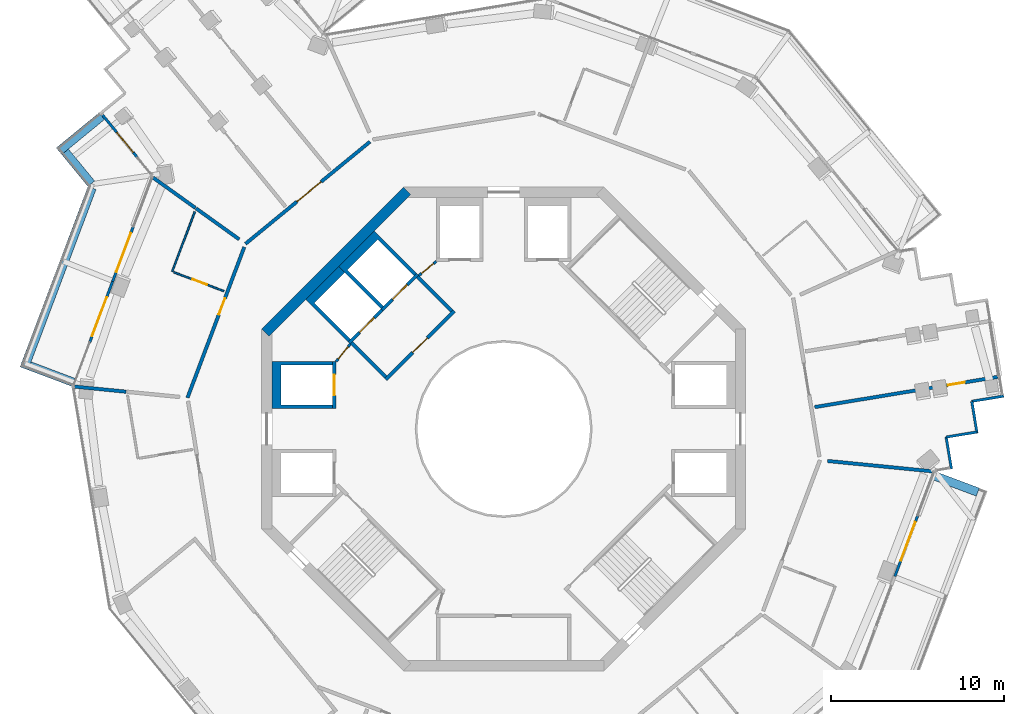
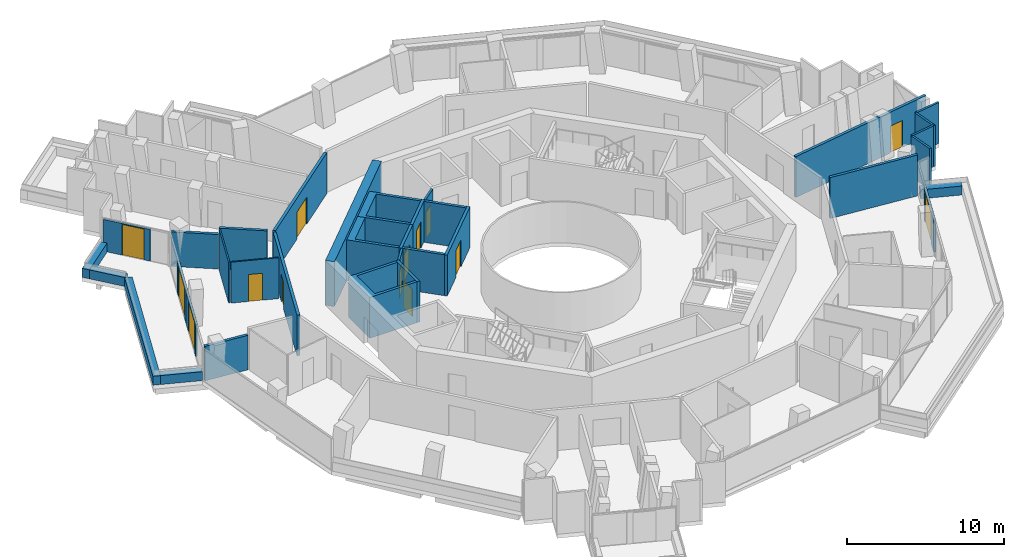
# One storey, part 16 of 21: 34 walls, 14 doors, 14 openings.
"""IFC4 building model written with IfcOpenShell, lengths in metres."""

from ifc_helpers import new_model, si_unit, direction, frame, frame_2d, origin, place, context, subcontext, project, spatial, polyline, rectangle, outline, extrude, material, layer, layer_set, type_object, element, fill, save


model = new_model("IFC4")

# Units and contexts
model_context = context("Model", 3, precision=1e-05, world=origin(), true_north=direction((0.0, 1.0)))
body_context = subcontext(model_context, "Body", "Model", "MODEL_VIEW")
ifc_project = project(units=[si_unit("LENGTHUNIT", "METRE"), si_unit("AREAUNIT", "SQUARE_METRE"), si_unit("VOLUMEUNIT", "CUBIC_METRE"), si_unit("PLANEANGLEUNIT", "RADIAN"), si_unit("MASSUNIT", "GRAM", prefix="KILO")], contexts=[model_context])

# Site, building, storey
site_placement = place(None, origin())
site = spatial("IfcSite", under=ifc_project, at=site_placement, CompositionType="ELEMENT")
building_placement = place(site_placement, origin())
building = spatial("IfcBuilding", under=site, at=building_placement, Name="Verdalira Terraces Hotel", CompositionType="ELEMENT")
storey_placement = place(building_placement, frame((0.0, 0.0, 194.0)))
storey = spatial("IfcBuildingStorey", under=building, at=storey_placement, Name="L47", CompositionType="ELEMENT", Elevation=194.0)

# Walls
ifc_material_1 = material(Name="Concrete C40", Category="concrete")
ifc_layer_1 = layer(ifc_material_1, 0.5)
ifc_layer_set_1 = layer_set([ifc_layer_1], Name="Balcony planter trough with tree")
wall_type_1 = type_object("IfcWallType", Name="Balcony planter trough with tree", PredefinedType="SOLIDWALL", material=ifc_layer_set_1)
wall_1_placement = place(storey_placement, frame((-23.255615, 18.101562, 0.0), z_axis=(0.0, 0.0, 1.0), x_axis=(-0.773171239, -0.634197315, 0.0)))
element("IfcWall", 1, at=wall_1_placement, inside=storey, type_object=wall_type_1, Name="Balcony planter", PredefinedType="SOLIDWALL", context=body_context, shape_type="SweptSolid", body=[
    extrude(rectangle(XDim=3.198975, YDim=0.5, at=frame_2d((1.599609, 0.0))), origin(), (0.0, 0.0, 1.0), 0.699951),
])
wall_2_placement = place(storey_placement, frame((-25.377197, 16.037842, 0.0), z_axis=(0.0, 0.0, 1.0), x_axis=(0.634222613, -0.773150488, 0.0)))
element("IfcWall", 2, at=wall_2_placement, inside=storey, type_object=wall_type_1, Name="Balcony planter", PredefinedType="SOLIDWALL", context=body_context, shape_type="SweptSolid", body=[
    extrude(rectangle(XDim=2.388184, YDim=0.5, at=frame_2d((1.194092, 0.0))), origin(), (0.0, 0.0, 1.0), 0.699951),
])
wall_3_placement = place(storey_placement, frame((-23.822021, 13.94458, 0.0), z_axis=(0.0, 0.0, 1.0), x_axis=(-0.352495325, -0.935813574, 0.0)))
element("IfcWall", 3, at=wall_3_placement, inside=storey, type_object=wall_type_1, Name="Balcony planter", PredefinedType="SOLIDWALL", context=body_context, shape_type="SweptSolid", body=[
    extrude(rectangle(XDim=11.152344, YDim=0.5, at=frame_2d((5.576172, 0.0))), origin(), (0.0, 0.0, 1.0), 0.699951),
])
for number, where, z_axis, x_axis, name in (
    (4, (-27.431152, 3.653809, 0.0), (0.0, 0.0, 1.0), (0.935815205, -0.352490997, 0.0), "Balcony planter"),
    (5, (27.431152, -3.653809, 0.0), (0.0, 0.0, 1.0), (-0.935815205, 0.352490997, 0.0), "Balcony planter"),
):
    element("IfcWall", number, at=place(storey_placement, frame(where, z_axis=z_axis, x_axis=x_axis)), inside=storey, type_object=wall_type_1, Name=name, PredefinedType="SOLIDWALL", context=body_context, shape_type="SweptSolid", body=[
        extrude(rectangle(XDim=2.699219, YDim=0.5, at=frame_2d((1.349609, 0.0))), origin(), (0.0, 0.0, 1.0), 0.699951),
    ])
ifc_material_2 = material(Name="Moisture-resistant gypsum board partition")
ifc_layer_2 = layer(ifc_material_2, 0.10009765625)
ifc_layer_set_2 = layer_set([ifc_layer_2], Name="Bathroom partition 100 mm")
wall_type_2 = type_object("IfcWallType", Name="Bathroom partition 100 mm", PredefinedType="PARTITIONING", material=ifc_layer_set_2)
wall_4_placement = place(storey_placement, frame((-19.18042, 9.10376, 0.0), z_axis=(0.0, 0.0, 1.0), x_axis=(0.352517215, 0.935805329, 0.0)))
element("IfcWall", 6, at=wall_4_placement, inside=storey, type_object=wall_type_2, Name="Bathroom partition", PredefinedType="PARTITIONING", context=body_context, shape_type="SweptSolid", body=[
    extrude(rectangle(XDim=3.703857, YDim=0.100098, at=frame_2d((1.852051, 0.0))), origin(), (0.0, 0.0, 1.0), 3.189941),
])

# Wall, opening, door
wall_5_placement = place(storey_placement, frame((-19.086914, 9.068359, 0.0), z_axis=(0.0, 0.0, 1.0), x_axis=(0.935813585, -0.352495296, 0.0)))
wall_5 = element("IfcWall", 7, at=wall_5_placement, inside=storey, type_object=wall_type_2, Name="Bathroom partition", PredefinedType="PARTITIONING", context=body_context, shape_type="SweptSolid", body=[
    extrude(rectangle(XDim=3.100098, YDim=0.100098, at=frame_2d((1.550049, 0.0))), origin(), (0.0, 0.0, 1.0), 3.189941),
])
opening_1_placement = place(wall_5_placement, frame((1.149902, 0.0, 0.0)))
opening_1 = element("IfcOpeningElement", 8, at=opening_1_placement, cuts=wall_5, Name="Opening L47-105", PredefinedType="OPENING", context=body_context, shape_type="SweptSolid", body=[
    extrude(rectangle(XDim=0.899902, YDim=2.100098, at=frame_2d((0.449951, 1.050049))), frame((0.0, 0.060059, 0.0), z_axis=(0.0, -1.0, 0.0), x_axis=(1.0, 0.0, 0.0)), (0.0, 0.0, 1.0), 0.120117),
])
ifc_material_3 = material(Name="Timber door", Category="wood")
door_type_1 = type_object("IfcDoorType", Name="Bathroom door 900 x 2100", OperationType="NOTDEFINED", PredefinedType="DOOR", material=ifc_material_3)
door_1_placement = place(opening_1_placement, origin())
door_1 = element("IfcDoor", 9, at=door_1_placement, inside=storey, type_object=door_type_1, Name="Bathroom door 4702", OperationType="SINGLE_SWING_LEFT", OverallHeight=2.10009765625, OverallWidth=0.89990234375, PredefinedType="DOOR", context=body_context, shape_type="SweptSolid", body=[
    extrude(rectangle(XDim=0.899902, YDim=2.100098, at=frame_2d((0.449951, 1.050049))), frame((0.0, 0.024902, 0.0), z_axis=(0.0, -1.0, 0.0), x_axis=(1.0, 0.0, 0.0)), (0.0, 0.0, 1.0), 0.050049),
])
fill(opening_1, door_1)

# Wall
ifc_material_4 = material(Name="Concrete C50", Category="concrete")
ifc_layer_3 = layer(ifc_material_4, 0.199951171875)
ifc_layer_set_3 = layer_set([ifc_layer_3], Name="Core RC wall 200 C50")
wall_type_3 = type_object("IfcWallType", Name="Core RC wall 200 C50", PredefinedType="SOLIDWALL", material=ifc_layer_set_3)
wall_6_placement = place(storey_placement, origin())
element("IfcWall", 10, at=wall_6_placement, inside=storey, type_object=wall_type_3, Name="L47 shaft wall W1", PredefinedType="SOLIDWALL", context=body_context, shape_type="SweptSolid", body=[
    extrude(outline(polyline([(-13.399902, 3.899902), (-9.899902, 3.899902), (-9.899902, 3.699951), (-12.899902, 3.699951), (-12.899902, 1.399902), (-9.899902, 1.399902), (-9.899902, 1.199951), (-13.399902, 1.199951), (-13.399902, 3.899902)])), origin(), (0.0, 0.0, 1.0), 3.189941),
])

# Wall, opening, door
wall_7_placement = place(storey_placement, frame((-9.800049, 1.199951, 0.0), z_axis=(0.0, 0.0, 1.0), x_axis=(0.0, 1.0, 0.0)))
wall_7 = element("IfcWall", 11, at=wall_7_placement, inside=storey, type_object=wall_type_3, Name="L47 shaft front wall W1", PredefinedType="SOLIDWALL", context=body_context, shape_type="SweptSolid", body=[
    extrude(rectangle(XDim=2.699951, YDim=0.199951, at=frame_2d((1.350098, 0.0))), origin(), (0.0, 0.0, 1.0), 3.189941),
])
opening_2_placement = place(wall_7_placement, frame((0.75, 0.0, 0.0)))
opening_2 = element("IfcOpeningElement", 12, at=opening_2_placement, cuts=wall_7, Name="Opening LD-L47-806", PredefinedType="OPENING", context=body_context, shape_type="SweptSolid", body=[
    extrude(rectangle(XDim=1.199951, YDim=2.100098, at=frame_2d((0.600098, 1.050049))), frame((0.0, 0.109863, 0.0), z_axis=(0.0, -1.0, 0.0), x_axis=(1.0, 0.0, 0.0)), (0.0, 0.0, 1.0), 0.219971),
])
ifc_material_5 = material(Name="Stainless steel", Category="steel")
door_type_2 = type_object("IfcDoorType", Name="Landing door 1200 x 2100", OperationType="NOTDEFINED", PredefinedType="DOOR", material=ifc_material_5)
door_2_placement = place(opening_2_placement, origin())
door_2 = element("IfcDoor", 13, at=door_2_placement, inside=storey, type_object=door_type_2, Name="Lift landing door HR5 L47", OperationType="DOUBLE_DOOR_SLIDING", OverallHeight=2.10009765625, OverallWidth=1.199951171875, PredefinedType="DOOR", context=body_context, shape_type="SweptSolid", body=[
    extrude(rectangle(XDim=1.199951, YDim=2.100098, at=frame_2d((0.600098, 1.050049))), frame((0.0, 0.024902, 0.0), z_axis=(0.0, -1.0, 0.0), x_axis=(1.0, 0.0, 0.0)), (0.0, 0.0, 1.0), 0.050049),
])
fill(opening_2, door_2)

# Wall
wall_8_placement = place(storey_placement, origin())
element("IfcWall", 14, at=wall_8_placement, inside=storey, type_object=wall_type_3, Name="L47 shaft wall F1", PredefinedType="SOLIDWALL", context=body_context, shape_type="SweptSolid", body=[
    extrude(outline(polyline([(-9.545898, 9.404541), (-7.495361, 11.455078), (-5.055908, 9.015625), (-5.197266, 8.874268), (-7.283203, 10.960205), (-9.051025, 9.192383), (-6.965088, 7.106445), (-7.106445, 6.965088), (-9.545898, 9.404541)])), origin(), (0.0, 0.0, 1.0), 3.189941),
])

# Wall, opening, door
wall_9_placement = place(storey_placement, frame((-4.985107, 8.944824, 0.0), z_axis=(0.0, 0.0, 1.0), x_axis=(-0.707106781, -0.707106781, 0.0)))
wall_9 = element("IfcWall", 15, at=wall_9_placement, inside=storey, type_object=wall_type_3, Name="L47 shaft front wall F1", PredefinedType="SOLIDWALL", context=body_context, shape_type="SweptSolid", body=[
    extrude(rectangle(XDim=2.899902, YDim=0.199951, at=frame_2d((1.449951, 0.0))), origin(), (0.0, 0.0, 1.0), 3.189941),
])
opening_3_placement = place(wall_9_placement, frame((0.850098, 0.0, 0.0)))
opening_3 = element("IfcOpeningElement", 16, at=opening_3_placement, cuts=wall_9, Name="Opening LD-L47-808", PredefinedType="OPENING", context=body_context, shape_type="SweptSolid", body=[
    extrude(rectangle(XDim=1.199951, YDim=2.100098, at=frame_2d((0.600098, 1.050049))), frame((0.0, 0.109863, 0.0), z_axis=(0.0, -1.0, 0.0), x_axis=(1.0, 0.0, 0.0)), (0.0, 0.0, 1.0), 0.219971),
])
door_3_placement = place(opening_3_placement, origin())
door_3 = element("IfcDoor", 17, at=door_3_placement, inside=storey, type_object=door_type_2, Name="Lift landing door LF11 L47", OperationType="DOUBLE_DOOR_SLIDING", OverallHeight=2.10009765625, OverallWidth=1.199951171875, PredefinedType="DOOR", context=body_context, shape_type="SweptSolid", body=[
    extrude(rectangle(XDim=1.199951, YDim=2.100098, at=frame_2d((0.600098, 1.050049))), frame((0.0, 0.024902, 0.0), z_axis=(0.0, -1.0, 0.0), x_axis=(1.0, 0.0, 0.0)), (0.0, 0.0, 1.0), 0.050049),
])
fill(opening_3, door_3)

# Wall
wall_10_placement = place(storey_placement, origin())
element("IfcWall", 18, at=wall_10_placement, inside=storey, type_object=wall_type_3, Name="L47 shaft wall F2", PredefinedType="SOLIDWALL", context=body_context, shape_type="SweptSolid", body=[
    extrude(outline(polyline([(-11.455078, 7.495361), (-9.545898, 9.404541), (-9.192383, 9.051025), (-10.960205, 7.283203), (-8.874268, 5.197266), (-9.015625, 5.055908), (-11.455078, 7.495361)])), origin(), (0.0, 0.0, 1.0), 3.189941),
])

# Wall, opening, door
wall_11_placement = place(storey_placement, frame((-7.035645, 6.894287, 0.0), z_axis=(0.0, 0.0, 1.0), x_axis=(-0.707106781, -0.707106781, 0.0)))
wall_11 = element("IfcWall", 19, at=wall_11_placement, inside=storey, type_object=wall_type_3, Name="L47 shaft front wall F2", PredefinedType="SOLIDWALL", context=body_context, shape_type="SweptSolid", body=[
    extrude(rectangle(XDim=2.699951, YDim=0.199951, at=frame_2d((1.350098, 0.0))), origin(), (0.0, 0.0, 1.0), 3.189941),
])
opening_4_placement = place(wall_11_placement, frame((0.649902, 0.0, 0.0)))
opening_4 = element("IfcOpeningElement", 20, at=opening_4_placement, cuts=wall_11, Name="Opening LD-L47-809", PredefinedType="OPENING", context=body_context, shape_type="SweptSolid", body=[
    extrude(rectangle(XDim=1.199951, YDim=2.100098, at=frame_2d((0.600098, 1.050049))), frame((0.0, 0.109863, 0.0), z_axis=(0.0, -1.0, 0.0), x_axis=(1.0, 0.0, 0.0)), (0.0, 0.0, 1.0), 0.219971),
])
door_4_placement = place(opening_4_placement, origin())
door_4 = element("IfcDoor", 21, at=door_4_placement, inside=storey, type_object=door_type_2, Name="Lift landing door LF12 L47", OperationType="DOUBLE_DOOR_SLIDING", OverallHeight=2.10009765625, OverallWidth=1.199951171875, PredefinedType="DOOR", context=body_context, shape_type="SweptSolid", body=[
    extrude(rectangle(XDim=1.199951, YDim=2.100098, at=frame_2d((0.600098, 1.050049))), frame((0.0, 0.024902, 0.0), z_axis=(0.0, -1.0, 0.0), x_axis=(1.0, 0.0, 0.0)), (0.0, 0.0, 1.0), 0.050049),
])
fill(opening_4, door_4)

wall_12_placement = place(storey_placement, frame((-2.86377, 6.823486, 0.0), z_axis=(0.0, 0.0, 1.0), x_axis=(-0.707106781, -0.707106781, 0.0)))
wall_12 = element("IfcWall", 22, at=wall_12_placement, inside=storey, type_object=wall_type_3, Name="L47 fire lobby wall", PredefinedType="SOLIDWALL", context=body_context, shape_type="SweptSolid", body=[
    extrude(rectangle(XDim=5.599854, YDim=0.199951, at=frame_2d((2.799805, 0.0))), origin(), (0.0, 0.0, 1.0), 3.189941),
])
opening_5_placement = place(wall_12_placement, frame((2.199951, 0.0, 0.0)))
opening_5 = element("IfcOpeningElement", 23, at=opening_5_placement, cuts=wall_12, Name="Opening L47-819", PredefinedType="OPENING", context=body_context, shape_type="SweptSolid", body=[
    extrude(rectangle(XDim=1.199951, YDim=2.100098, at=frame_2d((0.600098, 1.050049))), frame((0.0, 0.109863, 0.0), z_axis=(0.0, -1.0, 0.0), x_axis=(1.0, 0.0, 0.0)), (0.0, 0.0, 1.0), 0.219971),
])
ifc_material_6 = material(Name="Steel fire door", Category="steel")
door_type_3 = type_object("IfcDoorType", Name="Lobby door 1200 x 2100", OperationType="NOTDEFINED", PredefinedType="DOOR", material=ifc_material_6)
door_5_placement = place(opening_5_placement, origin())
door_5 = element("IfcDoor", 24, at=door_5_placement, inside=storey, type_object=door_type_3, Name="Fire lobby door L47", OperationType="SINGLE_SWING_LEFT", OverallHeight=2.10009765625, OverallWidth=1.199951171875, PredefinedType="DOOR", context=body_context, shape_type="SweptSolid", body=[
    extrude(rectangle(XDim=1.199951, YDim=2.100098, at=frame_2d((0.600098, 1.050049))), frame((0.0, 0.024902, 0.0), z_axis=(0.0, -1.0, 0.0), x_axis=(1.0, 0.0, 0.0)), (0.0, 0.0, 1.0), 0.050049),
])
fill(opening_5, door_5)

# Walls
for number, where, z_axis, x_axis, name in (
    (25, (-3.005127, 6.823486, 0.0), (0.0, 0.0, 1.0), (-0.707106781, 0.707106781, 0.0), "L47 fire lobby wall"),
    (26, (-6.823486, 3.005127, 0.0), (0.0, 0.0, 1.0), (-0.707106781, 0.707106781, 0.0), "L47 fire lobby wall"),
):
    element("IfcWall", number, at=place(storey_placement, frame(where, z_axis=z_axis, x_axis=x_axis)), inside=storey, type_object=wall_type_3, Name=name, PredefinedType="SOLIDWALL", context=body_context, shape_type="SweptSolid", body=[
        extrude(rectangle(XDim=2.800049, YDim=0.199951, at=frame_2d((1.399902, 0.0))), origin(), (0.0, 0.0, 1.0), 3.189941),
    ])

# Wall, opening, door
ifc_material_7 = material(Name="Gypsum board partition")
ifc_layer_4 = layer(ifc_material_7, 0.14990234375)
ifc_layer_set_4 = layer_set([ifc_layer_4], Name="Core partition 150 mm")
wall_type_4 = type_object("IfcWallType", Name="Core partition 150 mm", PredefinedType="PARTITIONING", material=ifc_layer_set_4)
wall_13_placement = place(storey_placement, frame((-3.899902, 9.699951, 0.0), z_axis=(0.0, 0.0, 1.0), x_axis=(-0.775559878, -0.631274009, 0.0)))
wall_13 = element("IfcWall", 27, at=wall_13_placement, inside=storey, type_object=wall_type_4, Name="Room partition L47", PredefinedType="PARTITIONING", context=body_context, shape_type="SweptSolid", body=[
    extrude(rectangle(XDim=1.307861, YDim=0.149902, at=frame_2d((0.653809, 0.0))), origin(), (0.0, 0.0, 1.0), 3.189941),
])
opening_6_placement = place(wall_13_placement, frame((0.204102, 0.0, 0.0)))
opening_6 = element("IfcOpeningElement", 28, at=opening_6_placement, cuts=wall_13, Name="Opening L47-820", PredefinedType="OPENING", context=body_context, shape_type="SweptSolid", body=[
    extrude(rectangle(XDim=0.899902, YDim=2.100098, at=frame_2d((0.449951, 1.050049))), frame((0.0, 0.084961, 0.0), z_axis=(0.0, -1.0, 0.0), x_axis=(1.0, 0.0, 0.0)), (0.0, 0.0, 1.0), 0.169922),
])
ifc_material_8 = material(Name="Steel fire door", Category="steel")
door_type_4 = type_object("IfcDoorType", Name="Core room door 900 x 2100", OperationType="NOTDEFINED", PredefinedType="DOOR", material=ifc_material_8)
door_6_placement = place(opening_6_placement, origin())
door_6 = element("IfcDoor", 29, at=door_6_placement, inside=storey, type_object=door_type_4, Name="Door L47 room2", OperationType="SINGLE_SWING_LEFT", OverallHeight=2.10009765625, OverallWidth=0.89990234375, PredefinedType="DOOR", context=body_context, shape_type="SweptSolid", body=[
    extrude(rectangle(XDim=0.899902, YDim=2.100098, at=frame_2d((0.449951, 1.050049))), frame((0.0, 0.024902, 0.0), z_axis=(0.0, -1.0, 0.0), x_axis=(1.0, 0.0, 0.0)), (0.0, 0.0, 1.0), 0.050049),
])
fill(opening_6, door_6)

wall_14_placement = place(storey_placement, frame((-8.874268, 4.914307, 0.0), z_axis=(0.0, 0.0, 1.0), x_axis=(-0.631274009, -0.775559878, 0.0)))
wall_14 = element("IfcWall", 30, at=wall_14_placement, inside=storey, type_object=wall_type_4, Name="Room partition L47", PredefinedType="PARTITIONING", context=body_context, shape_type="SweptSolid", body=[
    extrude(rectangle(XDim=1.307861, YDim=0.149902, at=frame_2d((0.653809, 0.0))), origin(), (0.0, 0.0, 1.0), 3.189941),
])
opening_7_placement = place(wall_14_placement, frame((0.204102, 0.0, 0.0)))
opening_7 = element("IfcOpeningElement", 31, at=opening_7_placement, cuts=wall_14, Name="Opening L47-821", PredefinedType="OPENING", context=body_context, shape_type="SweptSolid", body=[
    extrude(rectangle(XDim=0.899902, YDim=2.100098, at=frame_2d((0.449951, 1.050049))), frame((0.0, 0.084961, 0.0), z_axis=(0.0, -1.0, 0.0), x_axis=(1.0, 0.0, 0.0)), (0.0, 0.0, 1.0), 0.169922),
])
door_7_placement = place(opening_7_placement, origin())
door_7 = element("IfcDoor", 32, at=door_7_placement, inside=storey, type_object=door_type_4, Name="Door L47 room3", OperationType="SINGLE_SWING_LEFT", OverallHeight=2.10009765625, OverallWidth=0.89990234375, PredefinedType="DOOR", context=body_context, shape_type="SweptSolid", body=[
    extrude(rectangle(XDim=0.899902, YDim=2.100098, at=frame_2d((0.449951, 1.050049))), frame((0.0, 0.024902, 0.0), z_axis=(0.0, -1.0, 0.0), x_axis=(1.0, 0.0, 0.0)), (0.0, 0.0, 1.0), 0.050049),
])
fill(opening_7, door_7)

# Walls
ifc_material_9 = material(Name="Concrete C60", Category="concrete")
ifc_layer_5 = layer(ifc_material_9, 0.60009765625)
ifc_layer_set_5 = layer_set([ifc_layer_5], Name="Core wall 600 C60")
wall_type_5 = type_object("IfcWallType", Name="Core wall 600 C60", PredefinedType="SHEAR", material=ifc_layer_set_5)
wall_15_placement = place(storey_placement, frame((-5.586914, 13.787842, 0.0), z_axis=(0.0, 0.0, 1.0), x_axis=(-0.707106781, -0.707106781, 0.0)))
element("IfcWall", 33, at=wall_15_placement, inside=storey, type_object=wall_type_5, Name="Core wall CW-L47-4", PredefinedType="SHEAR", context=body_context, shape_type="SweptSolid", body=[
    extrude(rectangle(XDim=11.5979, YDim=0.600098, at=frame_2d((5.798828, 0.0))), origin(), (0.0, 0.0, 1.0), 3.5),
])
ifc_material_10 = material(Name="Fire-rated gypsum board wall")
ifc_layer_6 = layer(ifc_material_10, 0.199951171875)
ifc_layer_set_6 = layer_set([ifc_layer_6], Name="Demising wall 200 mm")
wall_type_6 = type_object("IfcWallType", Name="Demising wall 200 mm", PredefinedType="SOLIDWALL", material=ifc_layer_set_6)
wall_16_placement = place(storey_placement, frame((-15.304688, 10.973145, 0.0), z_axis=(0.0, 0.0, 1.0), x_axis=(-0.812669855, 0.582724383, 0.0)))
element("IfcWall", 34, at=wall_16_placement, inside=storey, type_object=wall_type_6, Name="Demising wall", PredefinedType="SOLIDWALL", context=body_context, shape_type="SweptSolid", body=[
    extrude(rectangle(XDim=3.074707, YDim=0.199951, at=frame_2d((1.537354, 0.0))), origin(), (0.0, 0.0, 1.0), 3.189941),
])
wall_17_placement = place(storey_placement, frame((24.843262, -2.453369, 0.0), z_axis=(0.0, 0.0, 1.0), x_axis=(-0.995160973, 0.098258013, 0.0)))
element("IfcWall", 35, at=wall_17_placement, inside=storey, type_object=wall_type_6, Name="Demising wall", PredefinedType="SOLIDWALL", context=body_context, shape_type="SweptSolid", body=[
    extrude(rectangle(XDim=6.132324, YDim=0.199951, at=frame_2d((3.066162, 0.0))), origin(), (0.0, 0.0, 1.0), 3.189941),
])

# Wall, opening, door
wall_18_placement = place(storey_placement, frame((28.598633, 3.015625, 0.0), z_axis=(0.0, 0.0, 1.0), x_axis=(-0.986686964, -0.162630975, 0.0)))
wall_18 = element("IfcWall", 36, at=wall_18_placement, inside=storey, type_object=wall_type_6, Name="Demising wall", PredefinedType="SOLIDWALL", context=body_context, shape_type="SweptSolid", body=[
    extrude(rectangle(XDim=10.75, YDim=0.199951, at=frame_2d((5.375, 0.0))), origin(), (0.0, 0.0, 1.0), 3.189941),
])
opening_8_placement = place(wall_18_placement, frame((1.949951, 0.0, 0.0)))
opening_8 = element("IfcOpeningElement", 37, at=opening_8_placement, cuts=wall_18, Name="Opening L47-119", PredefinedType="OPENING", context=body_context, shape_type="SweptSolid", body=[
    extrude(rectangle(XDim=1.0, YDim=2.100098, at=frame_2d((0.5, 1.050049))), frame((0.0, 0.109863, 0.0), z_axis=(0.0, -1.0, 0.0), x_axis=(1.0, 0.0, 0.0)), (0.0, 0.0, 1.0), 0.219971),
])
ifc_material_11 = material(Name="Timber fire door", Category="wood")
door_type_5 = type_object("IfcDoorType", Name="Public room door 1000 x 2100", OperationType="NOTDEFINED", PredefinedType="DOOR", material=ifc_material_11)
door_8_placement = place(opening_8_placement, origin())
door_8 = element("IfcDoor", 38, at=door_8_placement, inside=storey, type_object=door_type_5, Name="Public room door 4708", OperationType="SINGLE_SWING_LEFT", OverallHeight=2.10009765625, OverallWidth=1.0, PredefinedType="DOOR", context=body_context, shape_type="SweptSolid", body=[
    extrude(rectangle(XDim=1.0, YDim=2.100098, at=frame_2d((0.5, 1.050049))), frame((0.0, 0.024902, 0.0), z_axis=(0.0, -1.0, 0.0), x_axis=(1.0, 0.0, 0.0)), (0.0, 0.0, 1.0), 0.050049),
])
fill(opening_8, door_8)

# Walls
ifc_material_12 = material(Name="Fire-rated gypsum board wall")
ifc_layer_7 = layer(ifc_material_12, 0.199951171875)
ifc_layer_set_7 = layer_set([ifc_layer_7], Name="Demising wall 200 mm to beam soffit")
wall_type_7 = type_object("IfcWallType", Name="Demising wall 200 mm to beam soffit", PredefinedType="SOLIDWALL", material=ifc_layer_set_7)
for number, where, z_axis, x_axis, name in (
    (39, (-21.846436, 2.157471, 0.0), (0.0, 0.0, 1.0), (-0.99516083, 0.098259464, 0.0), "Demising wall"),
    (40, (-17.84082, 12.791504, 0.0), (0.0, 0.0, 1.0), (-0.812658436, 0.582740307, 0.0), "Demising wall"),
):
    element("IfcWall", number, at=place(storey_placement, frame(where, z_axis=z_axis, x_axis=x_axis)), inside=storey, type_object=wall_type_7, Name=name, PredefinedType="SOLIDWALL", context=body_context, shape_type="SweptSolid", body=[
        extrude(rectangle(XDim=3.011475, YDim=0.199951, at=frame_2d((1.505859, 0.0))), origin(), (0.0, 0.0, 1.0), 2.689941),
    ])

# Wall, opening, door
ifc_material_13 = material(Name="Fire-rated gypsum board wall")
ifc_layer_8 = layer(ifc_material_13, 0.199951171875)
ifc_layer_set_8 = layer_set([ifc_layer_8], Name="Guest corridor wall 200 mm")
wall_type_8 = type_object("IfcWallType", Name="Guest corridor wall 200 mm", PredefinedType="SOLIDWALL", material=ifc_layer_set_8)
wall_19_placement = place(storey_placement, frame((-18.295898, 1.806885, 0.0), z_axis=(0.0, 0.0, 1.0), x_axis=(0.352510128, 0.935807998, 0.0)))
wall_19 = element("IfcWall", 41, at=wall_19_placement, inside=storey, type_object=wall_type_8, Name="Guest corridor wall", PredefinedType="SOLIDWALL", context=body_context, shape_type="SweptSolid", body=[
    extrude(rectangle(XDim=9.31665, YDim=0.199951, at=frame_2d((4.658203, 0.0))), origin(), (0.0, 0.0, 1.0), 3.189941),
])
opening_9_placement = place(wall_19_placement, frame((5.149902, 0.0, 0.0)))
opening_9 = element("IfcOpeningElement", 42, at=opening_9_placement, cuts=wall_19, Name="Opening L47-104", PredefinedType="OPENING", context=body_context, shape_type="SweptSolid", body=[
    extrude(rectangle(XDim=1.0, YDim=2.100098, at=frame_2d((0.5, 1.050049))), frame((0.0, 0.109863, 0.0), z_axis=(0.0, -1.0, 0.0), x_axis=(1.0, 0.0, 0.0)), (0.0, 0.0, 1.0), 0.219971),
])
ifc_material_14 = material(Name="Timber fire door", Category="wood")
door_type_6 = type_object("IfcDoorType", Name="Guest entry door 1000 x 2100", OperationType="NOTDEFINED", PredefinedType="DOOR", material=ifc_material_14)
door_9_placement = place(opening_9_placement, origin())
door_9 = element("IfcDoor", 43, at=door_9_placement, inside=storey, type_object=door_type_6, Name="Guest entry door 4702", OperationType="SINGLE_SWING_LEFT", OverallHeight=2.10009765625, OverallWidth=1.0, PredefinedType="DOOR", context=body_context, shape_type="SweptSolid", body=[
    extrude(rectangle(XDim=1.0, YDim=2.100098, at=frame_2d((0.5, 1.050049))), frame((0.0, 0.024902, 0.0), z_axis=(0.0, -1.0, 0.0), x_axis=(1.0, 0.0, 0.0)), (0.0, 0.0, 1.0), 0.050049),
])
fill(opening_9, door_9)

wall_20_placement = place(storey_placement, frame((-14.941162, 10.712646, 0.0), z_axis=(0.0, 0.0, 1.0), x_axis=(0.773179127, 0.634187699, 0.0)))
wall_20 = element("IfcWall", 44, at=wall_20_placement, inside=storey, type_object=wall_type_8, Name="Guest corridor wall", PredefinedType="SOLIDWALL", context=body_context, shape_type="SweptSolid", body=[
    extrude(rectangle(XDim=9.31665, YDim=0.199951, at=frame_2d((4.658203, 0.0))), origin(), (0.0, 0.0, 1.0), 3.189941),
])
opening_10_placement = place(wall_20_placement, frame((3.854004, 0.0, 0.0)))
opening_10 = element("IfcOpeningElement", 45, at=opening_10_placement, cuts=wall_20, Name="Opening L47-101", PredefinedType="OPENING", context=body_context, shape_type="SweptSolid", body=[
    extrude(rectangle(XDim=1.800049, YDim=2.100098, at=frame_2d((0.899902, 1.050049))), frame((0.0, 0.109863, 0.0), z_axis=(0.0, -1.0, 0.0), x_axis=(1.0, 0.0, 0.0)), (0.0, 0.0, 1.0), 0.219971),
])
ifc_material_15 = material(Name="Timber fire door", Category="wood")
door_type_7 = type_object("IfcDoorType", Name="Public room double door 1800 x 2100", OperationType="NOTDEFINED", PredefinedType="DOOR", material=ifc_material_15)
door_10_placement = place(opening_10_placement, origin())
door_10 = element("IfcDoor", 46, at=door_10_placement, inside=storey, type_object=door_type_7, Name="Public room double door 4701", OperationType="DOUBLE_DOOR_SINGLE_SWING", OverallHeight=2.10009765625, OverallWidth=1.800048828125, PredefinedType="DOOR", context=body_context, shape_type="SweptSolid", body=[
    extrude(rectangle(XDim=1.800049, YDim=2.100098, at=frame_2d((0.899902, 1.050049))), frame((0.0, 0.024902, 0.0), z_axis=(0.0, -1.0, 0.0), x_axis=(1.0, 0.0, 0.0)), (0.0, 0.0, 1.0), 0.050049),
])
fill(opening_10, door_10)

# Walls
ifc_material_16 = material(Name="Terracotta cladding", Category="masonry")
ifc_layer_9 = layer(ifc_material_16, 0.14990234375)
ifc_layer_set_9 = layer_set([ifc_layer_9], Name="Terracotta clad wall 150")
wall_type_9 = type_object("IfcWallType", Name="Terracotta clad wall 150", PredefinedType="SOLIDWALL", material=ifc_layer_set_9)
wall_21_placement = place(storey_placement, frame((25.905273, -2.317627, 0.0), z_axis=(0.0, 0.0, 1.0), x_axis=(-0.162646024, 0.986684484, 0.0)))
element("IfcWall", 47, at=wall_21_placement, inside=storey, type_object=wall_type_9, Name="Terracotta cladding wall", PredefinedType="SOLIDWALL", context=body_context, shape_type="SweptSolid", body=[
    extrude(rectangle(XDim=1.874756, YDim=0.149902, at=frame_2d((0.9375, 0.0))), origin(), (0.0, 0.0, 1.0), 3.189941),
])
wall_22_placement = place(storey_placement, frame((25.600342, -0.467773, 0.0), z_axis=(0.0, 0.0, 1.0), x_axis=(0.986685642, 0.162639, 0.0)))
element("IfcWall", 48, at=wall_22_placement, inside=storey, type_object=wall_type_9, Name="Terracotta cladding wall", PredefinedType="SOLIDWALL", context=body_context, shape_type="SweptSolid", body=[
    extrude(rectangle(XDim=1.799805, YDim=0.149902, at=frame_2d((0.899902, 0.0))), origin(), (0.0, 0.0, 1.0), 3.189941),
])
for number, where, z_axis, x_axis, name in (
    (49, (27.388428, -0.249023, 0.0), (0.0, 0.0, 1.0), (-0.162625128, 0.986687928, 0.0), "Terracotta cladding wall"),
    (50, (27.083496, 1.601074, 0.0), (0.0, 0.0, 1.0), (0.986687928, 0.162625128, 0.0), "Terracotta cladding wall"),
):
    element("IfcWall", number, at=place(storey_placement, frame(where, z_axis=z_axis, x_axis=x_axis)), inside=storey, type_object=wall_type_9, Name=name, PredefinedType="SOLIDWALL", context=body_context, shape_type="SweptSolid", body=[
        extrude(rectangle(XDim=1.875, YDim=0.149902, at=frame_2d((0.9375, 0.0))), origin(), (0.0, 0.0, 1.0), 3.189941),
    ])

# Wall, opening, door
ifc_material_17 = material(Name="Terracotta cladding", Category="masonry")
ifc_layer_10 = layer(ifc_material_17, 0.14990234375)
ifc_layer_set_10 = layer_set([ifc_layer_10], Name="Terracotta door pier 150")
wall_type_10 = type_object("IfcWallType", Name="Terracotta door pier 150", PredefinedType="SOLIDWALL", material=ifc_layer_set_10)
wall_23_placement = place(storey_placement, frame((-23.216064, 18.172852, 0.0), z_axis=(0.0, 0.0, 1.0), x_axis=(0.634210549, -0.773160384, 0.0)))
wall_23 = element("IfcWall", 51, at=wall_23_placement, inside=storey, type_object=wall_type_10, Name="Terracotta door pier", PredefinedType="SOLIDWALL", context=body_context, shape_type="SweptSolid", body=[
    extrude(rectangle(XDim=3.210205, YDim=0.149902, at=frame_2d((1.60498, 0.0))), origin(), (0.0, 0.0, 1.0), 2.475098),
])
opening_11_placement = place(wall_23_placement, frame((1.310059, 0.0, 0.0)))
opening_11 = element("IfcOpeningElement", 52, at=opening_11_placement, cuts=wall_23, Name="Opening L47-B03", PredefinedType="OPENING", context=body_context, shape_type="SweptSolid", body=[
    extrude(rectangle(XDim=1.5, YDim=2.399902, at=frame_2d((0.75, 1.199951))), frame((0.0, 0.084961, 0.0), z_axis=(0.0, -1.0, 0.0), x_axis=(1.0, 0.0, 0.0)), (0.0, 0.0, 1.0), 0.169922),
])
ifc_material_18 = material(Name="Clear glass", Category="glass")
door_type_8 = type_object("IfcDoorType", Name="Balcony sliding door 1500x2400", OperationType="NOTDEFINED", PredefinedType="DOOR", material=ifc_material_18)
door_11_placement = place(opening_11_placement, origin())
door_11 = element("IfcDoor", 53, at=door_11_placement, inside=storey, type_object=door_type_8, Name="Balcony sliding door", OperationType="SLIDING_TO_LEFT", OverallHeight=2.39990234375, OverallWidth=1.5, PredefinedType="DOOR", context=body_context, shape_type="SweptSolid", body=[
    extrude(rectangle(XDim=1.5, YDim=2.399902, at=frame_2d((0.75, 1.199951))), frame((0.0, 0.024902, 0.0), z_axis=(0.0, -1.0, 0.0), x_axis=(1.0, 0.0, 0.0)), (0.0, 0.0, 1.0), 0.050049),
])
fill(opening_11, door_11)

wall_24_placement = place(storey_placement, frame((-21.432617, 11.706299, 0.0), z_axis=(0.0, 0.0, 1.0), x_axis=(-0.35248439, -0.935817693, 0.0)))
wall_24 = element("IfcWall", 54, at=wall_24_placement, inside=storey, type_object=wall_type_10, Name="Terracotta door pier", PredefinedType="SOLIDWALL", context=body_context, shape_type="SweptSolid", body=[
    extrude(rectangle(XDim=3.400146, YDim=0.149902, at=frame_2d((1.700195, 0.0))), origin(), (0.0, 0.0, 1.0), 2.475098),
])
opening_12_placement = place(wall_24_placement, frame((0.399902, 0.0, 0.0)))
opening_12 = element("IfcOpeningElement", 55, at=opening_12_placement, cuts=wall_24, Name="Opening L47-B04", PredefinedType="OPENING", context=body_context, shape_type="SweptSolid", body=[
    extrude(rectangle(XDim=2.399902, YDim=2.399902, at=frame_2d((1.199951, 1.199951))), frame((0.0, 0.084961, 0.0), z_axis=(0.0, -1.0, 0.0), x_axis=(1.0, 0.0, 0.0)), (0.0, 0.0, 1.0), 0.169922),
])
ifc_material_19 = material(Name="Clear glass", Category="glass")
door_type_9 = type_object("IfcDoorType", Name="Balcony sliding door 2400x2400", OperationType="NOTDEFINED", PredefinedType="DOOR", material=ifc_material_19)
door_12_placement = place(opening_12_placement, origin())
door_12 = element("IfcDoor", 56, at=door_12_placement, inside=storey, type_object=door_type_9, Name="Balcony sliding door", OperationType="SLIDING_TO_RIGHT", OverallHeight=2.39990234375, OverallWidth=2.39990234375, PredefinedType="DOOR", context=body_context, shape_type="SweptSolid", body=[
    extrude(rectangle(XDim=2.399902, YDim=2.399902, at=frame_2d((1.199951, 1.199951))), frame((0.0, 0.024902, 0.0), z_axis=(0.0, -1.0, 0.0), x_axis=(1.0, 0.0, 0.0)), (0.0, 0.0, 1.0), 0.050049),
])
fill(opening_12, door_12)

wall_25_placement = place(storey_placement, frame((-22.631104, 8.524414, 0.0), z_axis=(0.0, 0.0, 1.0), x_axis=(-0.352524386, -0.935802627, 0.0)))
wall_25 = element("IfcWall", 57, at=wall_25_placement, inside=storey, type_object=wall_type_10, Name="Terracotta door pier", PredefinedType="SOLIDWALL", context=body_context, shape_type="SweptSolid", body=[
    extrude(rectangle(XDim=3.76123, YDim=0.149902, at=frame_2d((1.880615, 0.0))), origin(), (0.0, 0.0, 1.0), 2.475098),
])
opening_13_placement = place(wall_25_placement, frame((0.961182, 0.0, 0.0)))
opening_13 = element("IfcOpeningElement", 58, at=opening_13_placement, cuts=wall_25, Name="Opening L47-B05", PredefinedType="OPENING", context=body_context, shape_type="SweptSolid", body=[
    extrude(rectangle(XDim=2.399902, YDim=2.399902, at=frame_2d((1.199951, 1.199951))), frame((0.0, 0.084961, 0.0), z_axis=(0.0, -1.0, 0.0), x_axis=(1.0, 0.0, 0.0)), (0.0, 0.0, 1.0), 0.169922),
])
door_13_placement = place(opening_13_placement, origin())
door_13 = element("IfcDoor", 59, at=door_13_placement, inside=storey, type_object=door_type_9, Name="Balcony sliding door", OperationType="SLIDING_TO_LEFT", OverallHeight=2.39990234375, OverallWidth=2.39990234375, PredefinedType="DOOR", context=body_context, shape_type="SweptSolid", body=[
    extrude(rectangle(XDim=2.399902, YDim=2.399902, at=frame_2d((1.199951, 1.199951))), frame((0.0, 0.024902, 0.0), z_axis=(0.0, -1.0, 0.0), x_axis=(1.0, 0.0, 0.0)), (0.0, 0.0, 1.0), 0.050049),
])
fill(opening_13, door_13)

wall_26_placement = place(storey_placement, frame((22.631104, -8.524414, 0.0), z_axis=(0.0, 0.0, 1.0), x_axis=(0.352524386, 0.935802627, 0.0)))
wall_26 = element("IfcWall", 60, at=wall_26_placement, inside=storey, type_object=wall_type_10, Name="Terracotta door pier", PredefinedType="SOLIDWALL", context=body_context, shape_type="SweptSolid", body=[
    extrude(rectangle(XDim=3.76123, YDim=0.149902, at=frame_2d((1.880615, 0.0))), origin(), (0.0, 0.0, 1.0), 2.475098),
])
opening_14_placement = place(wall_26_placement, frame((0.961182, 0.0, 0.0)))
opening_14 = element("IfcOpeningElement", 61, at=opening_14_placement, cuts=wall_26, Name="Opening L47-B10", PredefinedType="OPENING", context=body_context, shape_type="SweptSolid", body=[
    extrude(rectangle(XDim=2.399902, YDim=2.399902, at=frame_2d((1.199951, 1.199951))), frame((0.0, 0.084961, 0.0), z_axis=(0.0, -1.0, 0.0), x_axis=(1.0, 0.0, 0.0)), (0.0, 0.0, 1.0), 0.169922),
])
door_14_placement = place(opening_14_placement, origin())
door_14 = element("IfcDoor", 62, at=door_14_placement, inside=storey, type_object=door_type_9, Name="Balcony sliding door", OperationType="SLIDING_TO_LEFT", OverallHeight=2.39990234375, OverallWidth=2.39990234375, PredefinedType="DOOR", context=body_context, shape_type="SweptSolid", body=[
    extrude(rectangle(XDim=2.399902, YDim=2.399902, at=frame_2d((1.199951, 1.199951))), frame((0.0, 0.024902, 0.0), z_axis=(0.0, -1.0, 0.0), x_axis=(1.0, 0.0, 0.0)), (0.0, 0.0, 1.0), 0.050049),
])
fill(opening_14, door_14)

save(model, "model.ifc")
